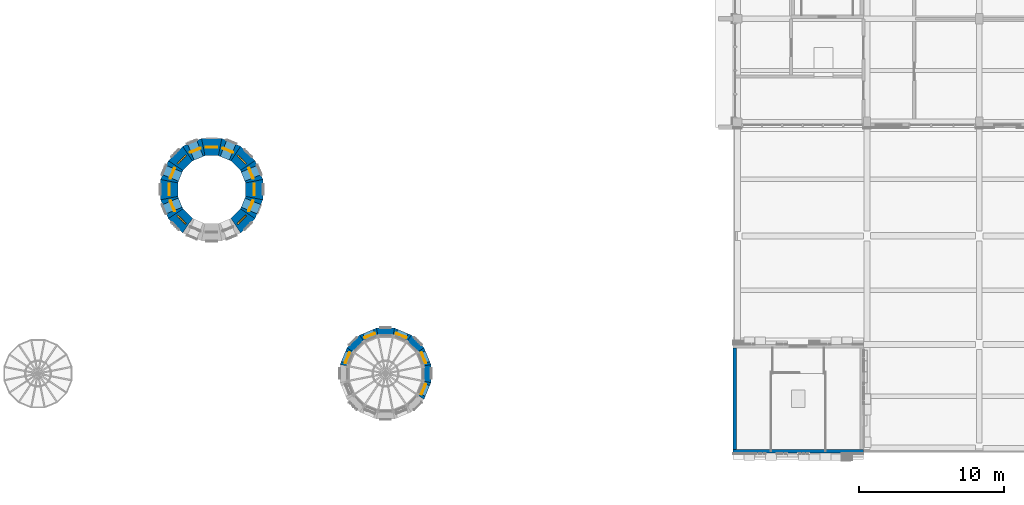
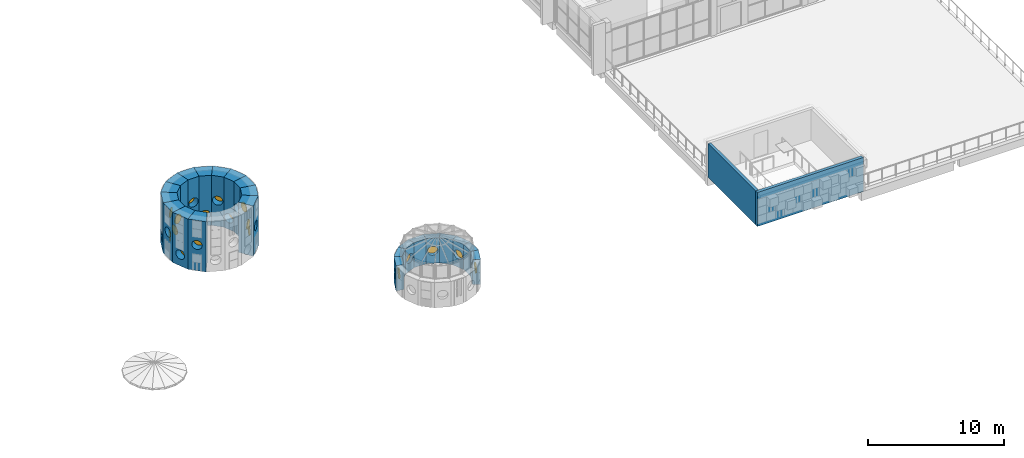
# One storey, part 28 of 42: 24 walls, 18 windows, 18 openings.
"""IFC4 building model written with IfcOpenShell, lengths in metres."""

from ifc_helpers import new_model, si_unit, direction, frame, frame_2d, origin, place, context, subcontext, project, spatial, polyline, rectangle, circle, outline, extrude, material, layer, layer_set, type_object, element, fill, save


model = new_model("IFC4")

# Units and contexts
model_context = context("Model", 3, precision=1e-05, world=origin(), true_north=direction((0.0, 1.0)))
body_context = subcontext(model_context, "Body", "Model", "MODEL_VIEW")
ifc_project = project(units=[si_unit("LENGTHUNIT", "METRE"), si_unit("AREAUNIT", "SQUARE_METRE"), si_unit("VOLUMEUNIT", "CUBIC_METRE"), si_unit("PLANEANGLEUNIT", "RADIAN"), si_unit("MASSUNIT", "GRAM", prefix="KILO")], contexts=[model_context])

# Site, building, storey
site_placement = place(None, origin())
site = spatial("IfcSite", under=ifc_project, at=site_placement, CompositionType="ELEMENT")
building_placement = place(site_placement, origin())
building = spatial("IfcBuilding", under=site, at=building_placement, Name="Sun Court Science Centre", CompositionType="ELEMENT")
storey_placement = place(building_placement, frame((0.0, 0.0, 20.25)))
storey = spatial("IfcBuildingStorey", under=building, at=storey_placement, Name="L04", CompositionType="ELEMENT", Elevation=20.25)

# Wall, opening, window
ifc_material_1 = material(Name="Concrete C30/37", Category="concrete")
ifc_layer_1 = layer(ifc_material_1, 1.18798828125)
ifc_layer_set_1 = layer_set([ifc_layer_1], Name="Concrete C30/37")
wall_type_1 = type_object("IfcWallType", Name="RC cone ring wall exterior 1188", PredefinedType="SHEAR", material=ifc_layer_set_1)
wall_1_placement = place(storey_placement, frame((44.98193359375, 24.6748046875, -0.300048828125), z_axis=(0.0, 0.0, 1.0), x_axis=(-0.382689470177, 0.923877031545, 0.0)))
wall_1 = element("IfcWall", 1, at=wall_1_placement, inside=storey, type_object=wall_type_1, Name="Cone 4 ring wall L04 segment 1", PredefinedType="SHEAR", context=body_context, shape_type="SweptSolid", body=[
    extrude(outline(polyline([(0.000244140625, -0.59423828125), (1.40478515625, -0.59423828125), (1.16845703125, 0.59423828125), (0.236572265625, 0.59423828125), (0.000244140625, -0.59423828125)])), origin(), (0.0, 0.0, 1.0), 4.5),
])
opening_1_placement = place(wall_1_placement, frame((0.30224609375, 0.0, 0.60009765625)))
opening_1 = element("IfcOpeningElement", 2, at=opening_1_placement, cuts=wall_1, Name="Opening WN-L04-033", PredefinedType="OPENING", context=body_context, shape_type="SweptSolid", body=[
    extrude(circle(Radius=0.39990234375, at=frame_2d((0.39990234375, 0.39990234375))), frame((0.0, 0.604248046875, 0.0), z_axis=(0.0, -1.0, 0.0), x_axis=(1.0, 0.0, 0.0)), (0.0, 0.0, 1.0), 1.20849609375),
])
ifc_material_2 = material(Name="Aluminium frame, 6-12-6 glazing", Category="aluminium")
window_type = type_object("IfcWindowType", Name="Round porthole 800", PartitioningType="SINGLE_PANEL", PredefinedType="WINDOW", material=ifc_material_2)
window_1_placement = place(opening_1_placement, origin())
window_1 = element("IfcWindow", 3, at=window_1_placement, inside=storey, type_object=window_type, Name="Round porthole cone 4 ring 5 01", OverallHeight=0.800048828125, OverallWidth=0.800048828125, PartitioningType="SINGLE_PANEL", PredefinedType="WINDOW", context=body_context, shape_type="SweptSolid", body=[
    extrude(circle(Radius=0.39990234375, at=frame_2d((0.39990234375, 0.39990234375))), frame((0.0, 0.030029296875, 0.0), z_axis=(0.0, -1.0, 0.0), x_axis=(1.0, 0.0, 0.0)), (0.0, 0.0, 1.0), 0.06005859375),
])
fill(opening_1, window_1)

wall_2_placement = place(storey_placement, frame((44.572998046875, 25.77978515625, -0.300048828125), z_axis=(0.0, 0.0, 1.0), x_axis=(-0.707019875665, 0.707193676028, 0.0)))
wall_2 = element("IfcWall", 4, at=wall_2_placement, inside=storey, type_object=wall_type_1, Name="Cone 4 ring wall L04 segment 2", PredefinedType="SHEAR", context=body_context, shape_type="SweptSolid", body=[
    extrude(outline(polyline([(0.0, -0.594482421875), (1.40478515625, -0.59423828125), (1.168212890625, 0.59423828125), (0.236328125, 0.593994140625), (0.0, -0.594482421875)])), origin(), (0.0, 0.0, 1.0), 4.5),
])
opening_2_placement = place(wall_2_placement, frame((0.30224609375, 0.0, 1.89990234375)))
opening_2 = element("IfcOpeningElement", 5, at=opening_2_placement, cuts=wall_2, Name="Opening WN-L04-041", PredefinedType="OPENING", context=body_context, shape_type="SweptSolid", body=[
    extrude(circle(Radius=0.39990234375, at=frame_2d((0.39990234375, 0.39990234375))), frame((0.0, 0.604248046875, 0.0), z_axis=(0.0, -1.0, 0.0), x_axis=(1.0, 0.0, 0.0)), (0.0, 0.0, 1.0), 1.20849609375),
])
window_2_placement = place(opening_2_placement, origin())
window_2 = element("IfcWindow", 6, at=window_2_placement, inside=storey, type_object=window_type, Name="Round porthole cone 4 ring 5 02", OverallHeight=0.800048828125, OverallWidth=0.800048828125, PartitioningType="SINGLE_PANEL", PredefinedType="WINDOW", context=body_context, shape_type="SweptSolid", body=[
    extrude(circle(Radius=0.39990234375, at=frame_2d((0.39990234375, 0.39990234375))), frame((0.0, 0.030029296875, 0.0), z_axis=(0.0, -1.0, 0.0), x_axis=(1.0, 0.0, 0.0)), (0.0, 0.0, 1.0), 0.06005859375),
])
fill(opening_2, window_2)

wall_3_placement = place(storey_placement, frame((43.772705078125, 26.644287109375, -0.300048828125), z_axis=(0.0, 0.0, 1.0), x_axis=(-0.923877031545, 0.382689470177, 0.0)))
wall_3 = element("IfcWall", 7, at=wall_3_placement, inside=storey, type_object=wall_type_1, Name="Cone 4 ring wall L04 segment 3", PredefinedType="SHEAR", context=body_context, shape_type="SweptSolid", body=[
    extrude(outline(polyline([(0.000244140625, -0.59423828125), (1.404541015625, -0.59423828125), (1.16845703125, 0.59423828125), (0.236328125, 0.59423828125), (0.000244140625, -0.59423828125)])), origin(), (0.0, 0.0, 1.0), 4.5),
])
opening_3_placement = place(wall_3_placement, frame((0.30224609375, 0.0, 0.60009765625)))
opening_3 = element("IfcOpeningElement", 8, at=opening_3_placement, cuts=wall_3, Name="Opening WN-L04-034", PredefinedType="OPENING", context=body_context, shape_type="SweptSolid", body=[
    extrude(circle(Radius=0.39990234375, at=frame_2d((0.39990234375, 0.39990234375))), frame((0.0, 0.604248046875, 0.0), z_axis=(0.0, -1.0, 0.0), x_axis=(1.0, 0.0, 0.0)), (0.0, 0.0, 1.0), 1.20849609375),
])
window_3_placement = place(opening_3_placement, origin())
window_3 = element("IfcWindow", 9, at=window_3_placement, inside=storey, type_object=window_type, Name="Round porthole cone 4 ring 5 03", OverallHeight=0.800048828125, OverallWidth=0.800048828125, PartitioningType="SINGLE_PANEL", PredefinedType="WINDOW", context=body_context, shape_type="SweptSolid", body=[
    extrude(circle(Radius=0.39990234375, at=frame_2d((0.39990234375, 0.39990234375))), frame((0.0, 0.030029296875, 0.0), z_axis=(0.0, -1.0, 0.0), x_axis=(1.0, 0.0, 0.0)), (0.0, 0.0, 1.0), 0.06005859375),
])
fill(opening_3, window_3)

wall_4_placement = place(storey_placement, frame((42.702392578125, 27.136474609375, -0.300048828125), z_axis=(0.0, 0.0, 1.0), x_axis=(-1.0, 0.0, 0.0)))
wall_4 = element("IfcWall", 10, at=wall_4_placement, inside=storey, type_object=wall_type_1, Name="Cone 4 ring wall L04 segment 4", PredefinedType="SHEAR", context=body_context, shape_type="SweptSolid", body=[
    extrude(outline(polyline([(0.0, -0.59423828125), (1.40478515625, -0.59423828125), (1.168212890625, 0.593994140625), (0.236572265625, 0.593994140625), (0.0, -0.59423828125)])), origin(), (0.0, 0.0, 1.0), 4.5),
])
opening_4_placement = place(wall_4_placement, frame((0.30224609375, 0.0, 1.89990234375)))
opening_4 = element("IfcOpeningElement", 11, at=opening_4_placement, cuts=wall_4, Name="Opening WN-L04-042", PredefinedType="OPENING", context=body_context, shape_type="SweptSolid", body=[
    extrude(circle(Radius=0.39990234375, at=frame_2d((0.39990234375, 0.39990234375))), frame((0.0, 0.604248046875, 0.0), z_axis=(0.0, -1.0, 0.0), x_axis=(1.0, 0.0, 0.0)), (0.0, 0.0, 1.0), 1.20849609375),
])
window_4_placement = place(opening_4_placement, origin())
window_4 = element("IfcWindow", 12, at=window_4_placement, inside=storey, type_object=window_type, Name="Round porthole cone 4 ring 5 04", OverallHeight=0.800048828125, OverallWidth=0.800048828125, PartitioningType="SINGLE_PANEL", PredefinedType="WINDOW", context=body_context, shape_type="SweptSolid", body=[
    extrude(circle(Radius=0.39990234375, at=frame_2d((0.39990234375, 0.39990234375))), frame((0.0, 0.030029296875, 0.0), z_axis=(0.0, -1.0, 0.0), x_axis=(1.0, 0.0, 0.0)), (0.0, 0.0, 1.0), 0.06005859375),
])
fill(opening_4, window_4)

wall_5_placement = place(storey_placement, frame((41.525146484375, 27.181884765625, -0.300048828125), z_axis=(0.0, 0.0, 1.0), x_axis=(-0.923877031545, -0.382689470177, 0.0)))
wall_5 = element("IfcWall", 13, at=wall_5_placement, inside=storey, type_object=wall_type_1, Name="Cone 4 ring wall L04 segment 5", PredefinedType="SHEAR", context=body_context, shape_type="SweptSolid", body=[
    extrude(outline(polyline([(0.000244140625, -0.59423828125), (1.404541015625, -0.59423828125), (1.16845703125, 0.59423828125), (0.236328125, 0.59423828125), (0.000244140625, -0.59423828125)])), origin(), (0.0, 0.0, 1.0), 4.5),
])
opening_5_placement = place(wall_5_placement, frame((0.30224609375, 0.0, 0.60009765625)))
opening_5 = element("IfcOpeningElement", 14, at=opening_5_placement, cuts=wall_5, Name="Opening WN-L04-035", PredefinedType="OPENING", context=body_context, shape_type="SweptSolid", body=[
    extrude(circle(Radius=0.39990234375, at=frame_2d((0.39990234375, 0.39990234375))), frame((0.0, 0.604248046875, 0.0), z_axis=(0.0, -1.0, 0.0), x_axis=(1.0, 0.0, 0.0)), (0.0, 0.0, 1.0), 1.20849609375),
])
window_5_placement = place(opening_5_placement, origin())
window_5 = element("IfcWindow", 15, at=window_5_placement, inside=storey, type_object=window_type, Name="Round porthole cone 4 ring 5 05", OverallHeight=0.800048828125, OverallWidth=0.800048828125, PartitioningType="SINGLE_PANEL", PredefinedType="WINDOW", context=body_context, shape_type="SweptSolid", body=[
    extrude(circle(Radius=0.39990234375, at=frame_2d((0.39990234375, 0.39990234375))), frame((0.0, 0.030029296875, 0.0), z_axis=(0.0, -1.0, 0.0), x_axis=(1.0, 0.0, 0.0)), (0.0, 0.0, 1.0), 0.06005859375),
])
fill(opening_5, window_5)

wall_6_placement = place(storey_placement, frame((40.420166015625, 26.773193359375, -0.300048828125), z_axis=(0.0, 0.0, 1.0), x_axis=(-0.707019875665, -0.707193676028, 0.0)))
wall_6 = element("IfcWall", 16, at=wall_6_placement, inside=storey, type_object=wall_type_1, Name="Cone 4 ring wall L04 segment 6", PredefinedType="SHEAR", context=body_context, shape_type="SweptSolid", body=[
    extrude(outline(polyline([(0.0, -0.59423828125), (1.404541015625, -0.594482421875), (1.16845703125, 0.593994140625), (0.236572265625, 0.59423828125), (0.0, -0.59423828125)])), origin(), (0.0, 0.0, 1.0), 4.5),
])
opening_6_placement = place(wall_6_placement, frame((0.30224609375, 0.0, 1.89990234375)))
opening_6 = element("IfcOpeningElement", 17, at=opening_6_placement, cuts=wall_6, Name="Opening WN-L04-043", PredefinedType="OPENING", context=body_context, shape_type="SweptSolid", body=[
    extrude(circle(Radius=0.39990234375, at=frame_2d((0.39990234375, 0.39990234375))), frame((0.0, 0.604248046875, 0.0), z_axis=(0.0, -1.0, 0.0), x_axis=(1.0, 0.0, 0.0)), (0.0, 0.0, 1.0), 1.20849609375),
])
window_6_placement = place(opening_6_placement, origin())
window_6 = element("IfcWindow", 18, at=window_6_placement, inside=storey, type_object=window_type, Name="Round porthole cone 4 ring 5 06", OverallHeight=0.800048828125, OverallWidth=0.800048828125, PartitioningType="SINGLE_PANEL", PredefinedType="WINDOW", context=body_context, shape_type="SweptSolid", body=[
    extrude(circle(Radius=0.39990234375, at=frame_2d((0.39990234375, 0.39990234375))), frame((0.0, 0.030029296875, 0.0), z_axis=(0.0, -1.0, 0.0), x_axis=(1.0, 0.0, 0.0)), (0.0, 0.0, 1.0), 0.06005859375),
])
fill(opening_6, window_6)

wall_7_placement = place(storey_placement, frame((39.5556640625, 25.97265625, -0.300048828125), z_axis=(0.0, 0.0, 1.0), x_axis=(-0.382689470177, -0.923877031545, 0.0)))
wall_7 = element("IfcWall", 19, at=wall_7_placement, inside=storey, type_object=wall_type_1, Name="Cone 4 ring wall L04 segment 7", PredefinedType="SHEAR", context=body_context, shape_type="SweptSolid", body=[
    extrude(outline(polyline([(0.0, -0.59423828125), (1.404541015625, -0.59423828125), (1.168212890625, 0.59423828125), (0.236328125, 0.59423828125), (0.0, -0.59423828125)])), origin(), (0.0, 0.0, 1.0), 4.5),
])
opening_7_placement = place(wall_7_placement, frame((0.30224609375, 0.0, 0.60009765625)))
opening_7 = element("IfcOpeningElement", 20, at=opening_7_placement, cuts=wall_7, Name="Opening WN-L04-036", PredefinedType="OPENING", context=body_context, shape_type="SweptSolid", body=[
    extrude(circle(Radius=0.39990234375, at=frame_2d((0.39990234375, 0.39990234375))), frame((0.0, 0.604248046875, 0.0), z_axis=(0.0, -1.0, 0.0), x_axis=(1.0, 0.0, 0.0)), (0.0, 0.0, 1.0), 1.20849609375),
])
window_7_placement = place(opening_7_placement, origin())
window_7 = element("IfcWindow", 21, at=window_7_placement, inside=storey, type_object=window_type, Name="Round porthole cone 4 ring 5 07", OverallHeight=0.800048828125, OverallWidth=0.800048828125, PartitioningType="SINGLE_PANEL", PredefinedType="WINDOW", context=body_context, shape_type="SweptSolid", body=[
    extrude(circle(Radius=0.39990234375, at=frame_2d((0.39990234375, 0.39990234375))), frame((0.0, 0.030029296875, 0.0), z_axis=(0.0, -1.0, 0.0), x_axis=(1.0, 0.0, 0.0)), (0.0, 0.0, 1.0), 0.06005859375),
])
fill(opening_7, window_7)

wall_8_placement = place(storey_placement, frame((39.0634765625, 24.90234375, -0.300048828125), z_axis=(0.0, 0.0, 1.0), x_axis=(0.0, -1.0, 0.0)))
wall_8 = element("IfcWall", 22, at=wall_8_placement, inside=storey, type_object=wall_type_1, Name="Cone 4 ring wall L04 segment 8", PredefinedType="SHEAR", context=body_context, shape_type="SweptSolid", body=[
    extrude(outline(polyline([(0.0, -0.59423828125), (1.404541015625, -0.59423828125), (1.168212890625, 0.59423828125), (0.236328125, 0.59423828125), (0.0, -0.59423828125)])), origin(), (0.0, 0.0, 1.0), 4.5),
])
opening_8_placement = place(wall_8_placement, frame((0.30224609375, 0.0, 1.89990234375)))
opening_8 = element("IfcOpeningElement", 23, at=opening_8_placement, cuts=wall_8, Name="Opening WN-L04-044", PredefinedType="OPENING", context=body_context, shape_type="SweptSolid", body=[
    extrude(circle(Radius=0.39990234375, at=frame_2d((0.39990234375, 0.39990234375))), frame((0.0, 0.604248046875, 0.0), z_axis=(0.0, -1.0, 0.0), x_axis=(1.0, 0.0, 0.0)), (0.0, 0.0, 1.0), 1.20849609375),
])
window_8_placement = place(opening_8_placement, origin())
window_8 = element("IfcWindow", 24, at=window_8_placement, inside=storey, type_object=window_type, Name="Round porthole cone 4 ring 5 08", OverallHeight=0.800048828125, OverallWidth=0.800048828125, PartitioningType="SINGLE_PANEL", PredefinedType="WINDOW", context=body_context, shape_type="SweptSolid", body=[
    extrude(circle(Radius=0.39990234375, at=frame_2d((0.39990234375, 0.39990234375))), frame((0.0, 0.030029296875, 0.0), z_axis=(0.0, -1.0, 0.0), x_axis=(1.0, 0.0, 0.0)), (0.0, 0.0, 1.0), 0.06005859375),
])
fill(opening_8, window_8)

wall_9_placement = place(storey_placement, frame((39.01806640625, 23.72509765625, -0.300048828125), z_axis=(0.0, 0.0, 1.0), x_axis=(0.382689470177, -0.923877031545, 0.0)))
wall_9 = element("IfcWall", 25, at=wall_9_placement, inside=storey, type_object=wall_type_1, Name="Cone 4 ring wall L04 segment 9", PredefinedType="SHEAR", context=body_context, shape_type="SweptSolid", body=[
    extrude(outline(polyline([(0.0, -0.593994140625), (1.404541015625, -0.59423828125), (1.168212890625, 0.59423828125), (0.236328125, 0.594482421875), (0.0, -0.593994140625)])), origin(), (0.0, 0.0, 1.0), 4.5),
])
opening_9_placement = place(wall_9_placement, frame((0.30224609375, 0.0, 0.60009765625)))
opening_9 = element("IfcOpeningElement", 26, at=opening_9_placement, cuts=wall_9, Name="Opening WN-L04-037", PredefinedType="OPENING", context=body_context, shape_type="SweptSolid", body=[
    extrude(circle(Radius=0.39990234375, at=frame_2d((0.39990234375, 0.39990234375))), frame((0.0, 0.604248046875, 0.0), z_axis=(0.0, -1.0, 0.0), x_axis=(1.0, 0.0, 0.0)), (0.0, 0.0, 1.0), 1.20849609375),
])
window_9_placement = place(opening_9_placement, origin())
window_9 = element("IfcWindow", 27, at=window_9_placement, inside=storey, type_object=window_type, Name="Round porthole cone 4 ring 5 09", OverallHeight=0.800048828125, OverallWidth=0.800048828125, PartitioningType="SINGLE_PANEL", PredefinedType="WINDOW", context=body_context, shape_type="SweptSolid", body=[
    extrude(circle(Radius=0.39990234375, at=frame_2d((0.39990234375, 0.39990234375))), frame((0.0, 0.030029296875, 0.0), z_axis=(0.0, -1.0, 0.0), x_axis=(1.0, 0.0, 0.0)), (0.0, 0.0, 1.0), 0.06005859375),
])
fill(opening_9, window_9)

wall_10_placement = place(storey_placement, frame((39.427001953125, 22.6201171875, -0.300048828125), z_axis=(0.0, 0.0, 1.0), x_axis=(0.707106781187, -0.707106781187, 0.0)))
wall_10 = element("IfcWall", 28, at=wall_10_placement, inside=storey, type_object=wall_type_1, Name="Cone 4 ring wall L04 segment 10", PredefinedType="SHEAR", context=body_context, shape_type="SweptSolid", body=[
    extrude(outline(polyline([(-0.000244140625, -0.594482421875), (1.404541015625, -0.59423828125), (1.168212890625, 0.593994140625), (0.236083984375, 0.59423828125), (-0.000244140625, -0.594482421875)])), origin(), (0.0, 0.0, 1.0), 4.5),
])
opening_10_placement = place(wall_10_placement, frame((0.30224609375, 0.0, 1.89990234375)))
opening_10 = element("IfcOpeningElement", 29, at=opening_10_placement, cuts=wall_10, Name="Opening WN-L04-045", PredefinedType="OPENING", context=body_context, shape_type="SweptSolid", body=[
    extrude(circle(Radius=0.39990234375, at=frame_2d((0.39990234375, 0.39990234375))), frame((0.0, 0.604248046875, 0.0), z_axis=(0.0, -1.0, 0.0), x_axis=(1.0, 0.0, 0.0)), (0.0, 0.0, 1.0), 1.20849609375),
])
window_10_placement = place(opening_10_placement, origin())
window_10 = element("IfcWindow", 30, at=window_10_placement, inside=storey, type_object=window_type, Name="Round porthole cone 4 ring 5 10", OverallHeight=0.800048828125, OverallWidth=0.800048828125, PartitioningType="SINGLE_PANEL", PredefinedType="WINDOW", context=body_context, shape_type="SweptSolid", body=[
    extrude(circle(Radius=0.39990234375, at=frame_2d((0.39990234375, 0.39990234375))), frame((0.0, 0.030029296875, 0.0), z_axis=(0.0, -1.0, 0.0), x_axis=(1.0, 0.0, 0.0)), (0.0, 0.0, 1.0), 0.06005859375),
])
fill(opening_10, window_10)

wall_11_placement = place(storey_placement, frame((43.579833984375, 21.626953125, -0.300048828125), z_axis=(0.0, 0.0, 1.0), x_axis=(0.707106781187, 0.707106781187, 0.0)))
wall_11 = element("IfcWall", 31, at=wall_11_placement, inside=storey, type_object=wall_type_1, Name="Cone 4 ring wall L04 segment 14", PredefinedType="SHEAR", context=body_context, shape_type="SweptSolid", body=[
    extrude(outline(polyline([(0.0, -0.59423828125), (1.40478515625, -0.594482421875), (1.16845703125, 0.59423828125), (0.236328125, 0.593994140625), (0.0, -0.59423828125)])), origin(), (0.0, 0.0, 1.0), 4.5),
])
opening_11_placement = place(wall_11_placement, frame((0.30224609375, 0.0, 1.89990234375)))
opening_11 = element("IfcOpeningElement", 32, at=opening_11_placement, cuts=wall_11, Name="Opening WN-L04-047", PredefinedType="OPENING", context=body_context, shape_type="SweptSolid", body=[
    extrude(circle(Radius=0.39990234375, at=frame_2d((0.39990234375, 0.39990234375))), frame((0.0, 0.604248046875, 0.0), z_axis=(0.0, -1.0, 0.0), x_axis=(1.0, 0.0, 0.0)), (0.0, 0.0, 1.0), 1.20849609375),
])
window_11_placement = place(opening_11_placement, origin())
window_11 = element("IfcWindow", 33, at=window_11_placement, inside=storey, type_object=window_type, Name="Round porthole cone 4 ring 5 14", OverallHeight=0.800048828125, OverallWidth=0.800048828125, PartitioningType="SINGLE_PANEL", PredefinedType="WINDOW", context=body_context, shape_type="SweptSolid", body=[
    extrude(circle(Radius=0.39990234375, at=frame_2d((0.39990234375, 0.39990234375))), frame((0.0, 0.030029296875, 0.0), z_axis=(0.0, -1.0, 0.0), x_axis=(1.0, 0.0, 0.0)), (0.0, 0.0, 1.0), 0.06005859375),
])
fill(opening_11, window_11)

wall_12_placement = place(storey_placement, frame((44.4443359375, 22.42724609375, -0.300048828125), z_axis=(0.0, 0.0, 1.0), x_axis=(0.382689470177, 0.923877031545, 0.0)))
wall_12 = element("IfcWall", 34, at=wall_12_placement, inside=storey, type_object=wall_type_1, Name="Cone 4 ring wall L04 segment 15", PredefinedType="SHEAR", context=body_context, shape_type="SweptSolid", body=[
    extrude(outline(polyline([(0.000244140625, -0.59423828125), (1.40478515625, -0.593994140625), (1.16845703125, 0.594482421875), (0.236572265625, 0.59423828125), (0.000244140625, -0.59423828125)])), origin(), (0.0, 0.0, 1.0), 4.5),
])
opening_12_placement = place(wall_12_placement, frame((0.30224609375, 0.0, 0.60009765625)))
opening_12 = element("IfcOpeningElement", 35, at=opening_12_placement, cuts=wall_12, Name="Opening WN-L04-040", PredefinedType="OPENING", context=body_context, shape_type="SweptSolid", body=[
    extrude(circle(Radius=0.39990234375, at=frame_2d((0.39990234375, 0.39990234375))), frame((0.0, 0.604248046875, 0.0), z_axis=(0.0, -1.0, 0.0), x_axis=(1.0, 0.0, 0.0)), (0.0, 0.0, 1.0), 1.20849609375),
])
window_12_placement = place(opening_12_placement, origin())
window_12 = element("IfcWindow", 36, at=window_12_placement, inside=storey, type_object=window_type, Name="Round porthole cone 4 ring 5 15", OverallHeight=0.800048828125, OverallWidth=0.800048828125, PartitioningType="SINGLE_PANEL", PredefinedType="WINDOW", context=body_context, shape_type="SweptSolid", body=[
    extrude(circle(Radius=0.39990234375, at=frame_2d((0.39990234375, 0.39990234375))), frame((0.0, 0.030029296875, 0.0), z_axis=(0.0, -1.0, 0.0), x_axis=(1.0, 0.0, 0.0)), (0.0, 0.0, 1.0), 0.06005859375),
])
fill(opening_12, window_12)

wall_13_placement = place(storey_placement, frame((44.9365234375, 23.49755859375, -0.300048828125), z_axis=(0.0, 0.0, 1.0), x_axis=(0.0, 1.0, 0.0)))
wall_13 = element("IfcWall", 37, at=wall_13_placement, inside=storey, type_object=wall_type_1, Name="Cone 4 ring wall L04 segment 16", PredefinedType="SHEAR", context=body_context, shape_type="SweptSolid", body=[
    extrude(outline(polyline([(0.000244140625, -0.59423828125), (1.40478515625, -0.59423828125), (1.16845703125, 0.59423828125), (0.236572265625, 0.59423828125), (0.000244140625, -0.59423828125)])), origin(), (0.0, 0.0, 1.0), 4.5),
])
opening_13_placement = place(wall_13_placement, frame((0.30224609375, 0.0, 1.89990234375)))
opening_13 = element("IfcOpeningElement", 38, at=opening_13_placement, cuts=wall_13, Name="Opening WN-L04-048", PredefinedType="OPENING", context=body_context, shape_type="SweptSolid", body=[
    extrude(circle(Radius=0.39990234375, at=frame_2d((0.39990234375, 0.39990234375))), frame((0.0, 0.604248046875, 0.0), z_axis=(0.0, -1.0, 0.0), x_axis=(1.0, 0.0, 0.0)), (0.0, 0.0, 1.0), 1.20849609375),
])
window_13_placement = place(opening_13_placement, origin())
window_13 = element("IfcWindow", 39, at=window_13_placement, inside=storey, type_object=window_type, Name="Round porthole cone 4 ring 5 16", OverallHeight=0.800048828125, OverallWidth=0.800048828125, PartitioningType="SINGLE_PANEL", PredefinedType="WINDOW", context=body_context, shape_type="SweptSolid", body=[
    extrude(circle(Radius=0.39990234375, at=frame_2d((0.39990234375, 0.39990234375))), frame((0.0, 0.030029296875, 0.0), z_axis=(0.0, -1.0, 0.0), x_axis=(1.0, 0.0, 0.0)), (0.0, 0.0, 1.0), 0.06005859375),
])
fill(opening_13, window_13)

ifc_material_3 = material(Name="Concrete C30/37", Category="concrete")
ifc_layer_2 = layer(ifc_material_3, 0.60009765625)
ifc_layer_set_2 = layer_set([ifc_layer_2], Name="Concrete C30/37")
wall_type_2 = type_object("IfcWallType", Name="RC cone ring wall exterior 600", PredefinedType="SHEAR", material=ifc_layer_set_2)
wall_14_placement = place(storey_placement, frame((56.861328125, 12.009521484375, -0.300048828125), z_axis=(0.0, 0.0, 1.0), x_axis=(-0.38265688181, 0.923890529664, 0.0)))
wall_14 = element("IfcWall", 40, at=wall_14_placement, inside=storey, type_object=wall_type_2, Name="Cone 5 ring wall L04 segment 1", PredefinedType="SHEAR", context=body_context, shape_type="SweptSolid", body=[
    extrude(outline(polyline([(0.0, -0.2998046875), (1.24853515625, -0.2998046875), (1.129150390625, 0.300048828125), (0.119140625, 0.300048828125), (0.0, -0.2998046875)])), origin(), (0.0, 0.0, 1.0), 2.25),
])
opening_14_placement = place(wall_14_placement, frame((0.224365234375, 0.0, 0.72509765625)))
opening_14 = element("IfcOpeningElement", 41, at=opening_14_placement, cuts=wall_14, Name="Opening WN-L04-049", PredefinedType="OPENING", context=body_context, shape_type="SweptSolid", body=[
    extrude(circle(Radius=0.39990234375, at=frame_2d((0.39990234375, 0.39990234375))), frame((0.0, 0.31005859375, 0.0), z_axis=(0.0, -1.0, 0.0), x_axis=(1.0, 0.0, 0.0)), (0.0, 0.0, 1.0), 0.6201171875),
])
window_14_placement = place(opening_14_placement, origin())
window_14 = element("IfcWindow", 42, at=window_14_placement, inside=storey, type_object=window_type, Name="Round porthole cone 5 ring 5 01", OverallHeight=0.800048828125, OverallWidth=0.800048828125, PartitioningType="SINGLE_PANEL", PredefinedType="WINDOW", context=body_context, shape_type="SweptSolid", body=[
    extrude(circle(Radius=0.39990234375, at=frame_2d((0.39990234375, 0.39990234375))), frame((0.0, 0.030029296875, 0.0), z_axis=(0.0, -1.0, 0.0), x_axis=(1.0, 0.0, 0.0)), (0.0, 0.0, 1.0), 0.06005859375),
])
fill(opening_14, window_14)

# Wall
wall_15_placement = place(storey_placement, frame((56.448486328125, 13.065673828125, -0.300048828125), z_axis=(0.0, 0.0, 1.0), x_axis=(-0.707106781187, 0.707106781187, 0.0)))
element("IfcWall", 43, at=wall_15_placement, inside=storey, type_object=wall_type_2, Name="Cone 5 ring wall L04 segment 2", PredefinedType="SHEAR", context=body_context, shape_type="SweptSolid", body=[
    extrude(outline(polyline([(0.0, -0.300048828125), (1.24853515625, -0.300048828125), (1.129150390625, 0.2998046875), (0.119384765625, 0.2998046875), (0.0, -0.300048828125)])), origin(), (0.0, 0.0, 1.0), 2.25),
])

# Wall, opening, window
wall_16_placement = place(storey_placement, frame((55.6630859375, 13.883544921875, -0.300048828125), z_axis=(0.0, 0.0, 1.0), x_axis=(-0.923890529664, 0.38265688181, 0.0)))
wall_16 = element("IfcWall", 44, at=wall_16_placement, inside=storey, type_object=wall_type_2, Name="Cone 5 ring wall L04 segment 3", PredefinedType="SHEAR", context=body_context, shape_type="SweptSolid", body=[
    extrude(outline(polyline([(0.0, -0.2998046875), (1.24853515625, -0.2998046875), (1.12939453125, 0.300048828125), (0.119384765625, 0.300048828125), (0.0, -0.2998046875)])), origin(), (0.0, 0.0, 1.0), 2.25),
])
opening_15_placement = place(wall_16_placement, frame((0.224365234375, 0.0, 0.72509765625)))
opening_15 = element("IfcOpeningElement", 45, at=opening_15_placement, cuts=wall_16, Name="Opening WN-L04-050", PredefinedType="OPENING", context=body_context, shape_type="SweptSolid", body=[
    extrude(circle(Radius=0.39990234375, at=frame_2d((0.39990234375, 0.39990234375))), frame((0.0, 0.31005859375, 0.0), z_axis=(0.0, -1.0, 0.0), x_axis=(1.0, 0.0, 0.0)), (0.0, 0.0, 1.0), 0.6201171875),
])
window_15_placement = place(opening_15_placement, origin())
window_15 = element("IfcWindow", 46, at=window_15_placement, inside=storey, type_object=window_type, Name="Round porthole cone 5 ring 5 03", OverallHeight=0.800048828125, OverallWidth=0.800048828125, PartitioningType="SINGLE_PANEL", PredefinedType="WINDOW", context=body_context, shape_type="SweptSolid", body=[
    extrude(circle(Radius=0.39990234375, at=frame_2d((0.39990234375, 0.39990234375))), frame((0.0, 0.030029296875, 0.0), z_axis=(0.0, -1.0, 0.0), x_axis=(1.0, 0.0, 0.0)), (0.0, 0.0, 1.0), 0.06005859375),
])
fill(opening_15, window_15)

# Wall
wall_17_placement = place(storey_placement, frame((54.624267578125, 14.338623046875, -0.300048828125), z_axis=(0.0, 0.0, 1.0), x_axis=(-1.0, 0.0, 0.0)))
element("IfcWall", 47, at=wall_17_placement, inside=storey, type_object=wall_type_2, Name="Cone 5 ring wall L04 segment 4", PredefinedType="SHEAR", context=body_context, shape_type="SweptSolid", body=[
    extrude(outline(polyline([(0.0, -0.2998046875), (1.24853515625, -0.2998046875), (1.129150390625, 0.300048828125), (0.119384765625, 0.300048828125), (0.0, -0.2998046875)])), origin(), (0.0, 0.0, 1.0), 2.25),
])

# Wall, opening, window
wall_18_placement = place(storey_placement, frame((53.490478515625, 14.361328125, -0.300048828125), z_axis=(0.0, 0.0, 1.0), x_axis=(-0.923890529664, -0.38265688181, 0.0)))
wall_18 = element("IfcWall", 48, at=wall_18_placement, inside=storey, type_object=wall_type_2, Name="Cone 5 ring wall L04 segment 5", PredefinedType="SHEAR", context=body_context, shape_type="SweptSolid", body=[
    extrude(outline(polyline([(0.0, -0.2998046875), (1.24853515625, -0.2998046875), (1.129150390625, 0.300048828125), (0.119140625, 0.300048828125), (0.0, -0.2998046875)])), origin(), (0.0, 0.0, 1.0), 2.25),
])
opening_16_placement = place(wall_18_placement, frame((0.224365234375, 0.0, 0.72509765625)))
opening_16 = element("IfcOpeningElement", 49, at=opening_16_placement, cuts=wall_18, Name="Opening WN-L04-051", PredefinedType="OPENING", context=body_context, shape_type="SweptSolid", body=[
    extrude(circle(Radius=0.39990234375, at=frame_2d((0.39990234375, 0.39990234375))), frame((0.0, 0.31005859375, 0.0), z_axis=(0.0, -1.0, 0.0), x_axis=(1.0, 0.0, 0.0)), (0.0, 0.0, 1.0), 0.6201171875),
])
window_16_placement = place(opening_16_placement, origin())
window_16 = element("IfcWindow", 50, at=window_16_placement, inside=storey, type_object=window_type, Name="Round porthole cone 5 ring 5 05", OverallHeight=0.800048828125, OverallWidth=0.800048828125, PartitioningType="SINGLE_PANEL", PredefinedType="WINDOW", context=body_context, shape_type="SweptSolid", body=[
    extrude(circle(Radius=0.39990234375, at=frame_2d((0.39990234375, 0.39990234375))), frame((0.0, 0.030029296875, 0.0), z_axis=(0.0, -1.0, 0.0), x_axis=(1.0, 0.0, 0.0)), (0.0, 0.0, 1.0), 0.06005859375),
])
fill(opening_16, window_16)

# Wall
wall_19_placement = place(storey_placement, frame((52.434326171875, 13.948486328125, -0.300048828125), z_axis=(0.0, 0.0, 1.0), x_axis=(-0.707106781187, -0.707106781187, 0.0)))
element("IfcWall", 51, at=wall_19_placement, inside=storey, type_object=wall_type_2, Name="Cone 5 ring wall L04 segment 6", PredefinedType="SHEAR", context=body_context, shape_type="SweptSolid", body=[
    extrude(outline(polyline([(0.0, -0.300048828125), (1.24853515625, -0.300048828125), (1.129150390625, 0.2998046875), (0.119384765625, 0.2998046875), (0.0, -0.300048828125)])), origin(), (0.0, 0.0, 1.0), 2.25),
])

# Wall, opening, window
wall_20_placement = place(storey_placement, frame((51.616455078125, 13.1630859375, -0.300048828125), z_axis=(0.0, 0.0, 1.0), x_axis=(-0.38265688181, -0.923890529664, 0.0)))
wall_20 = element("IfcWall", 52, at=wall_20_placement, inside=storey, type_object=wall_type_2, Name="Cone 5 ring wall L04 segment 7", PredefinedType="SHEAR", context=body_context, shape_type="SweptSolid", body=[
    extrude(outline(polyline([(0.0, -0.2998046875), (1.24853515625, -0.2998046875), (1.12939453125, 0.300048828125), (0.119384765625, 0.300048828125), (0.0, -0.2998046875)])), origin(), (0.0, 0.0, 1.0), 2.25),
])
opening_17_placement = place(wall_20_placement, frame((0.224365234375, 0.0, 0.72509765625)))
opening_17 = element("IfcOpeningElement", 53, at=opening_17_placement, cuts=wall_20, Name="Opening WN-L04-052", PredefinedType="OPENING", context=body_context, shape_type="SweptSolid", body=[
    extrude(circle(Radius=0.39990234375, at=frame_2d((0.39990234375, 0.39990234375))), frame((0.0, 0.31005859375, 0.0), z_axis=(0.0, -1.0, 0.0), x_axis=(1.0, 0.0, 0.0)), (0.0, 0.0, 1.0), 0.6201171875),
])
window_17_placement = place(opening_17_placement, origin())
window_17 = element("IfcWindow", 54, at=window_17_placement, inside=storey, type_object=window_type, Name="Round porthole cone 5 ring 5 07", OverallHeight=0.800048828125, OverallWidth=0.800048828125, PartitioningType="SINGLE_PANEL", PredefinedType="WINDOW", context=body_context, shape_type="SweptSolid", body=[
    extrude(circle(Radius=0.39990234375, at=frame_2d((0.39990234375, 0.39990234375))), frame((0.0, 0.030029296875, 0.0), z_axis=(0.0, -1.0, 0.0), x_axis=(1.0, 0.0, 0.0)), (0.0, 0.0, 1.0), 0.06005859375),
])
fill(opening_17, window_17)

wall_21_placement = place(storey_placement, frame((56.383544921875, 9.8369140625, -0.300048828125), z_axis=(0.0, 0.0, 1.0), x_axis=(0.38265688181, 0.923890529664, 0.0)))
wall_21 = element("IfcWall", 55, at=wall_21_placement, inside=storey, type_object=wall_type_2, Name="Cone 5 ring wall L04 segment 15", PredefinedType="SHEAR", context=body_context, shape_type="SweptSolid", body=[
    extrude(outline(polyline([(0.0, -0.2998046875), (1.24853515625, -0.2998046875), (1.12939453125, 0.300048828125), (0.119384765625, 0.300048828125), (0.0, -0.2998046875)])), origin(), (0.0, 0.0, 1.0), 2.25),
])
opening_18_placement = place(wall_21_placement, frame((0.224365234375, 0.0, 0.72509765625)))
opening_18 = element("IfcOpeningElement", 56, at=opening_18_placement, cuts=wall_21, Name="Opening WN-L04-056", PredefinedType="OPENING", context=body_context, shape_type="SweptSolid", body=[
    extrude(circle(Radius=0.39990234375, at=frame_2d((0.39990234375, 0.39990234375))), frame((0.0, 0.31005859375, 0.0), z_axis=(0.0, -1.0, 0.0), x_axis=(1.0, 0.0, 0.0)), (0.0, 0.0, 1.0), 0.6201171875),
])
window_18_placement = place(opening_18_placement, origin())
window_18 = element("IfcWindow", 57, at=window_18_placement, inside=storey, type_object=window_type, Name="Round porthole cone 5 ring 5 15", OverallHeight=0.800048828125, OverallWidth=0.800048828125, PartitioningType="SINGLE_PANEL", PredefinedType="WINDOW", context=body_context, shape_type="SweptSolid", body=[
    extrude(circle(Radius=0.39990234375, at=frame_2d((0.39990234375, 0.39990234375))), frame((0.0, 0.030029296875, 0.0), z_axis=(0.0, -1.0, 0.0), x_axis=(1.0, 0.0, 0.0)), (0.0, 0.0, 1.0), 0.06005859375),
])
fill(opening_18, window_18)

# Walls
wall_22_placement = place(storey_placement, frame((56.838623046875, 10.875732421875, -0.300048828125), z_axis=(0.0, 0.0, 1.0), x_axis=(0.0, 1.0, 0.0)))
element("IfcWall", 58, at=wall_22_placement, inside=storey, type_object=wall_type_2, Name="Cone 5 ring wall L04 segment 16", PredefinedType="SHEAR", context=body_context, shape_type="SweptSolid", body=[
    extrude(outline(polyline([(0.0, -0.2998046875), (1.24853515625, -0.2998046875), (1.129150390625, 0.300048828125), (0.119384765625, 0.300048828125), (0.0, -0.2998046875)])), origin(), (0.0, 0.0, 1.0), 2.25),
])
ifc_material_4 = material(Name="Concrete C30/37", Category="concrete")
ifc_layer_3 = layer(ifc_material_4, 0.25)
ifc_layer_set_3 = layer_set([ifc_layer_3], Name="Concrete C30/37")
wall_type_3 = type_object("IfcWallType", Name="RC stair core wall 250", PredefinedType="SHEAR", material=ifc_layer_set_3)
wall_23_placement = place(storey_placement, frame((78.0, 6.125, -0.300048828125), z_axis=(0.0, 0.0, 1.0), x_axis=(1.0, 0.0, 0.0)))
element("IfcWall", 59, at=wall_23_placement, inside=storey, type_object=wall_type_3, Name="Stair core SL1 wall S, L04", PredefinedType="SHEAR", context=body_context, shape_type="SweptSolid", body=[
    extrude(rectangle(XDim=9.0, YDim=0.25, at=frame_2d((4.5, 0.0))), origin(), (0.0, 0.0, 1.0), 3.050048828125),
])
wall_24_placement = place(storey_placement, frame((78.125, 6.25, -0.300048828125), z_axis=(0.0, 0.0, 1.0), x_axis=(0.0, 1.0, 0.0)))
element("IfcWall", 60, at=wall_24_placement, inside=storey, type_object=wall_type_3, Name="Stair core SL1 wall W, L04", PredefinedType="SHEAR", context=body_context, shape_type="SweptSolid", body=[
    extrude(rectangle(XDim=7.0, YDim=0.25, at=frame_2d((3.5, 0.0))), origin(), (0.0, 0.0, 1.0), 3.050048828125),
])

save(model, "model.ifc")
